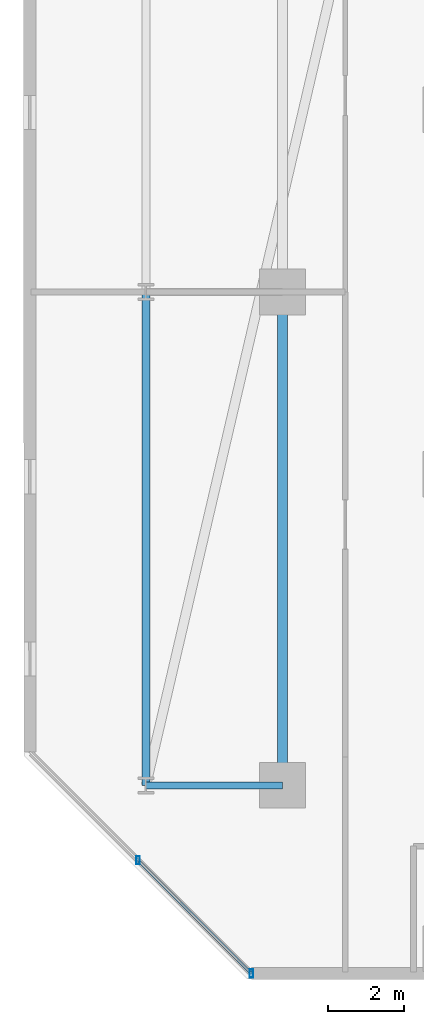
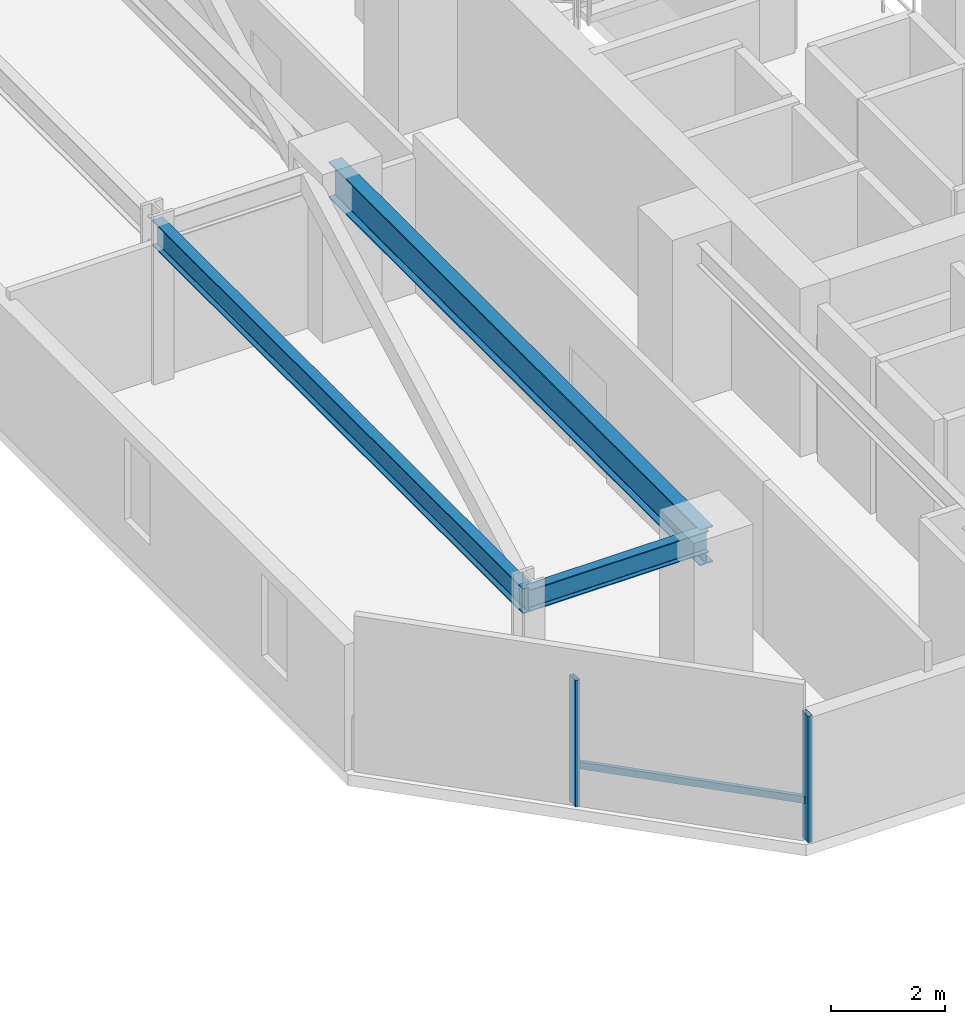
# One storey, part 6 of 30: 3 beams, 3 members, 1 element without a shape of its own.
"""IFC4 building model written with IfcOpenShell, lengths in metres."""

from ifc_helpers import new_model, si_unit, direction, frame, origin, origin_2d, place, context, subcontext, project, spatial, hollow_rectangle, i_section, extrude, material, material_profile, profile_set, type_object, element, aggregate, save


model = new_model("IFC4")

# Units and contexts
model_context = context("Model", 3, precision=1e-05, world=origin(), true_north=direction((0.0, 1.0)))
body_context = subcontext(model_context, "Body", "Model", "MODEL_VIEW")
ifc_project = project(units=[si_unit("LENGTHUNIT", "METRE"), si_unit("AREAUNIT", "SQUARE_METRE"), si_unit("VOLUMEUNIT", "CUBIC_METRE"), si_unit("PLANEANGLEUNIT", "RADIAN"), si_unit("MASSUNIT", "GRAM", prefix="KILO")], contexts=[model_context])

# Site, building, storey
site_placement = place(None, origin())
site = spatial("IfcSite", under=ifc_project, at=site_placement, CompositionType="ELEMENT")
building_placement = place(site_placement, origin())
building = spatial("IfcBuilding", under=site, at=building_placement, Name="Thornwick Lancets Civic Towers", CompositionType="ELEMENT")
storey_placement = place(building_placement, frame((0.0, 0.0, 80.10009765625)))
storey = spatial("IfcBuildingStorey", under=building, at=storey_placement, Name="L20", CompositionType="ELEMENT", Elevation=80.10009765625)

# Beams
ifc_material_1 = material(Name="Steel S355JR", Category="steel")
ifc_material_profile_1 = material_profile(ifc_material_1, i_section(OverallWidth=0.2119140625, OverallDepth=0.54443359375, WebThickness=0.0126953125, FlangeThickness=0.021240234375, FilletRadius=0.0126953125, at=origin_2d()), Name="UKB 533x210x122")
ifc_profile_set_1 = profile_set([ifc_material_profile_1], Name="Steel S355JR")
beam_type_1 = type_object("IfcBeamType", Name="BM_EDGE_533_122", PredefinedType="SPANDREL", material=ifc_profile_set_1)
beam_1_placement = place(storey_placement, frame((67.60009765625, 14.0, 3.087646484375), z_axis=(0.0, 1.0, 0.0), x_axis=(-1.0, 0.0, 0.0)))
element("IfcBeam", 1, at=beam_1_placement, inside=storey, type_object=beam_type_1, Name="BM-EDGE-L20-B-S2-1", PredefinedType="SPANDREL", context=body_context, shape_type="SweptSolid", body=[
    extrude(i_section(OverallWidth=0.2119140625, OverallDepth=0.54443359375, WebThickness=0.0126953125, FlangeThickness=0.021240234375, FilletRadius=0.0126953125, at=origin_2d()), origin(), (0.0, 0.0, 1.0), 13.0),
])
ifc_material_profile_2 = material_profile(ifc_material_1, i_section(OverallWidth=0.26806640625, OverallDepth=0.769775390625, WebThickness=0.015625, FlangeThickness=0.025390625, FilletRadius=0.0166015625, at=origin_2d()), Name="UKB 762x267x197")
ifc_profile_set_2 = profile_set([ifc_material_profile_2], Name="Steel S355JR")
beam_type_2 = type_object("IfcBeamType", Name="BM_GIRD_762_197", PredefinedType="BEAM", material=ifc_profile_set_2)
beam_2_placement = place(storey_placement, frame((71.199951171875, 14.0, 2.97509765625), z_axis=(0.0, 1.0, 0.0), x_axis=(-1.0, 0.0, 0.0)))
element("IfcBeam", 2, at=beam_2_placement, inside=storey, type_object=beam_type_2, Name="BM-SPINE-L20-B-6-7", PredefinedType="BEAM", context=body_context, shape_type="SweptSolid", body=[
    extrude(i_section(OverallWidth=0.26806640625, OverallDepth=0.769775390625, WebThickness=0.015625, FlangeThickness=0.025390625, FilletRadius=0.0166015625, at=origin_2d()), origin(), (0.0, 0.0, 1.0), 13.0),
])
ifc_material_profile_3 = material_profile(ifc_material_1, i_section(OverallWidth=0.19189453125, OverallDepth=0.46337890625, WebThickness=0.010498046875, FlangeThickness=0.017578125, FilletRadius=0.01025390625, at=origin_2d()), Name="UKB 457x191x89")
ifc_profile_set_3 = profile_set([ifc_material_profile_3], Name="Steel S355JR")
beam_type_3 = type_object("IfcBeamType", Name="BM_JOIST_457_89", PredefinedType="JOIST", material=ifc_profile_set_3)
beam_3_placement = place(storey_placement, frame((71.199951171875, 14.0, 3.128173828125), z_axis=(-1.0, 0.0, 0.0), x_axis=(0.0, -1.0, 0.0)))
element("IfcBeam", 3, at=beam_3_placement, inside=storey, type_object=beam_type_3, Name="BM-RAD-L20-B07", PredefinedType="JOIST", context=body_context, shape_type="SweptSolid", body=[
    extrude(i_section(OverallWidth=0.19189453125, OverallDepth=0.46337890625, WebThickness=0.010498046875, FlangeThickness=0.017578125, FilletRadius=0.01025390625, at=origin_2d()), origin(), (0.0, 0.0, 1.0), 3.599853515625),
])

# Curtain wall, members
ifc_material_2 = material(Name="Low-zone chamfered-corner unitised glass curtain wall", Category="glass")
curtain_wall_type = type_object("IfcCurtainWallType", Name="CW_SYS_03", PredefinedType="NOTDEFINED", material=ifc_material_2)
curtain_wall_placement = place(storey_placement, origin())
curtain_wall = element("IfcCurtainWall", 4, at=curtain_wall_placement, inside=storey, type_object=curtain_wall_type, Name="L20 Curtain Wall CW-L20-B-E7", PredefinedType="NOTDEFINED")
ifc_material_3 = material(Name="Thermally broken bronze aluminium S355", Category="steel")
ifc_material_profile_4 = material_profile(ifc_material_3, hollow_rectangle(XDim=0.090087890625, YDim=0.219970703125, WallThickness=0.00634765625, at=origin_2d()), Name="RHS 220x90x6.3")
ifc_profile_set_4 = profile_set([ifc_material_profile_4], Name="Thermally broken bronze aluminium S355")
member_type_1 = type_object("IfcMemberType", Name="CW_MUL_220", PredefinedType="MULLION", material=ifc_profile_set_4)
member_1_placement = place(storey_placement, frame((67.39599609375, 12.0283203125, 0.0), z_axis=(0.0, 0.0, 1.0), x_axis=(1.0, 0.0, 0.0)))
member_1 = element("IfcMember", 5, at=member_1_placement, type_object=member_type_1, Name="CW-L20-B-E7 Mullion 0", PredefinedType="MULLION", context=body_context, shape_type="SweptSolid", body=[
    extrude(hollow_rectangle(XDim=0.090087890625, YDim=0.219970703125, WallThickness=0.00634765625, at=origin_2d()), origin(), (0.0, 0.0, 1.0), 2.699951171875),
])
member_2_placement = place(storey_placement, frame((70.37841796875, 9.0458984375, 0.0), z_axis=(0.0, 0.0, 1.0), x_axis=(1.0, 0.0, 0.0)))
member_2 = element("IfcMember", 6, at=member_2_placement, type_object=member_type_1, Name="CW-L20-B-E7 Mullion 1", PredefinedType="MULLION", context=body_context, shape_type="SweptSolid", body=[
    extrude(hollow_rectangle(XDim=0.090087890625, YDim=0.219970703125, WallThickness=0.00634765625, at=origin_2d()), origin(), (0.0, 0.0, 1.0), 2.699951171875),
])
ifc_material_profile_5 = material_profile(ifc_material_3, hollow_rectangle(XDim=0.074951171875, YDim=0.14990234375, WallThickness=0.0048828125, at=origin_2d()), Name="RHS 150x75x5")
ifc_profile_set_5 = profile_set([ifc_material_profile_5], Name="Thermally broken bronze aluminium S355")
member_type_2 = type_object("IfcMemberType", Name="CW_TRN_150", PredefinedType="USERDEFINED", material=ifc_profile_set_5)
member_3_placement = place(storey_placement, frame((67.41015625, 12.01416015625, 0.849853515625), z_axis=(0.707106781187, -0.707106781187, 0.0), x_axis=(0.707106781187, 0.707106781187, 0.0)))
member_3 = element("IfcMember", 7, at=member_3_placement, type_object=member_type_2, Name="CW-L20-B-E7 Transom 0", ObjectType="TRANSOM", PredefinedType="USERDEFINED", context=body_context, shape_type="SweptSolid", body=[
    extrude(hollow_rectangle(XDim=0.074951171875, YDim=0.14990234375, WallThickness=0.0048828125, at=origin_2d()), origin(), (0.0, 0.0, 1.0), 4.177734375),
])
aggregate(curtain_wall, [member_1, member_2, member_3])

save(model, "model.ifc")
